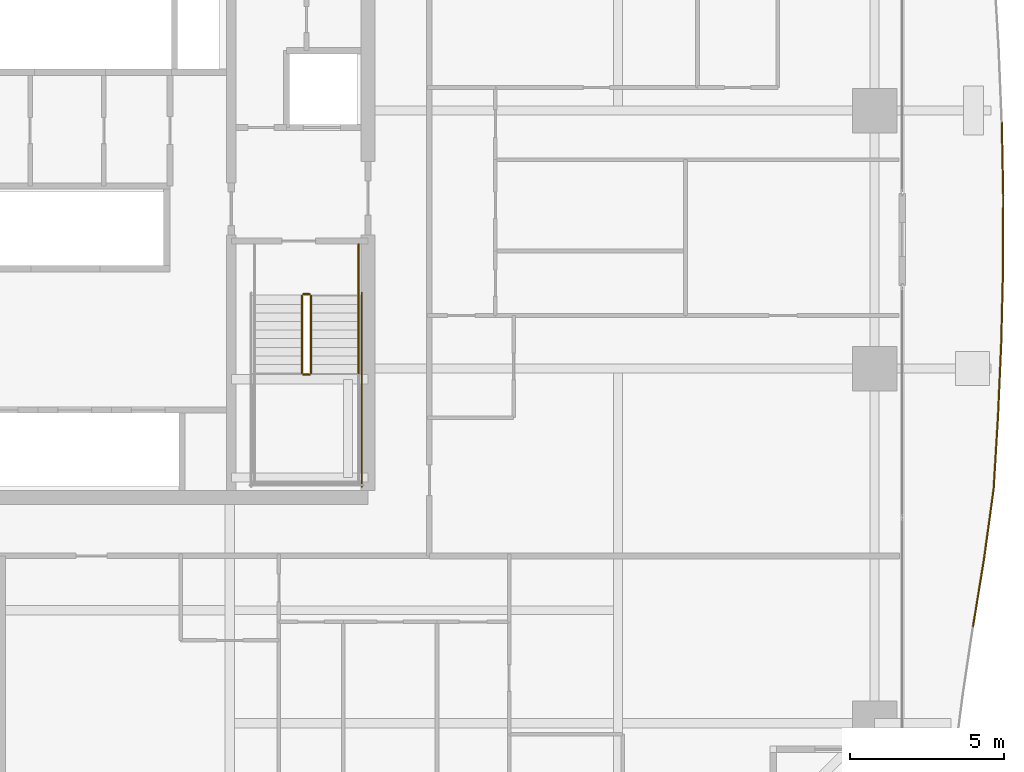
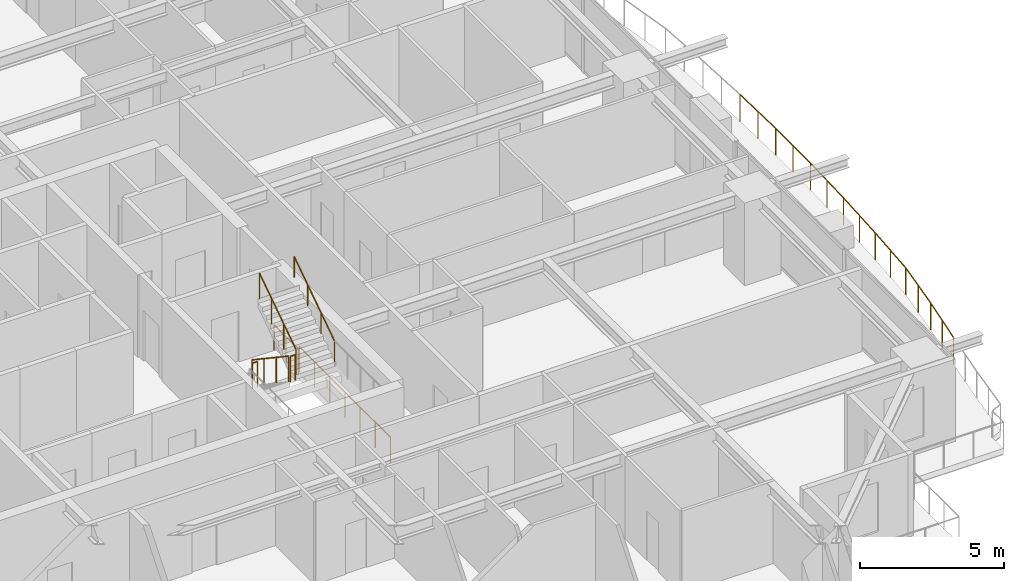
# One storey, part 37 of 39: 8 railings.
"""IFC4 building model written with IfcOpenShell, lengths in metres."""

from ifc_helpers import new_model, si_unit, direction, frame, origin, origin_2d, place, context, subcontext, project, spatial, circle, extrude, material, type_object, element, save


model = new_model("IFC4")

# Units and contexts
model_context = context("Model", 3, precision=1e-05, world=origin(), true_north=direction((0.0, 1.0)))
body_context = subcontext(model_context, "Body", "Model", "MODEL_VIEW")
ifc_project = project(units=[si_unit("LENGTHUNIT", "METRE"), si_unit("AREAUNIT", "SQUARE_METRE"), si_unit("VOLUMEUNIT", "CUBIC_METRE"), si_unit("PLANEANGLEUNIT", "RADIAN"), si_unit("MASSUNIT", "GRAM", prefix="KILO")], contexts=[model_context])

# Site, building, storey
site_placement = place(None, origin())
site = spatial("IfcSite", under=ifc_project, at=site_placement, CompositionType="ELEMENT")
building_placement = place(site_placement, origin())
building = spatial("IfcBuilding", under=site, at=building_placement, Name="Serunith Strait Residences", CompositionType="ELEMENT")
storey_placement = place(building_placement, frame((0.0, 0.0, 79.199951171875)))
storey = spatial("IfcBuildingStorey", under=building, at=storey_placement, Name="L19", CompositionType="ELEMENT", Elevation=79.199951171875)

# Railings
ifc_material_1 = material(Name="Stainless Steel & Laminated Glass Balustrade", Category="steel")
railing_type_1 = type_object("IfcRailingType", Name="RLG-BALC-1150", PredefinedType="BALUSTRADE", material=ifc_material_1)
railing_1_placement = place(storey_placement, frame((62.045166015625, 29.03662109375, -0.050048828125)))
element("IfcRailing", 1, at=railing_1_placement, inside=storey, type_object=railing_type_1, Name="L19 Swirling Balcony Perimeter Balustrade 4", PredefinedType="BALUSTRADE", context=body_context, shape_type="SweptSolid", body=[
    extrude(circle(Radius=0.02392578125, at=origin_2d()), frame((0.0, -0.001953125, 1.1259765625), z_axis=(0.019811170532, -0.999803739502, 0.0), x_axis=(0.999803739502, 0.019811170532, 0.0)), (0.0, 0.0, 1.0), 2.399169921875),
    extrude(circle(Radius=0.02392578125, at=origin_2d()), frame((0.047607421875, -2.404541015625, 1.1259765625), z_axis=(-0.002635304046, -0.99999652758, 0.0), x_axis=(0.99999652758, -0.002635304046, 0.0)), (0.0, 0.0, 1.0), 2.40478515625),
    extrude(circle(Radius=0.02392578125, at=origin_2d()), frame((0.041259765625, -4.813232421875, 1.1259765625), z_axis=(-0.024390424138, -0.999702509355, 0.0), x_axis=(0.999702509355, -0.024390424138, 0.0)), (0.0, 0.0, 1.0), 2.3984375),
    extrude(circle(Radius=0.02392578125, at=origin_2d()), frame((-0.017333984375, -7.21484375, 1.1259765625), z_axis=(-0.043912518245, -0.999035380125, 0.0), x_axis=(0.999035380125, -0.043912518245, 0.0)), (0.0, 0.0, 1.0), 2.381103515625),
    extrude(circle(Radius=0.02392578125, at=origin_2d()), frame((-0.1220703125, -9.59765625, 1.1259765625), z_axis=(-0.060098426623, -0.998192455951, 0.0), x_axis=(0.998192455951, -0.060098426623, 0.0)), (0.0, 0.0, 1.0), 2.356201171875),
    extrude(circle(Radius=0.02392578125, at=origin_2d()), frame((-0.26416015625, -11.95361328125, 1.1259765625), z_axis=(-0.135711665128, -0.990748375698, 0.0), x_axis=(0.990748375698, -0.135711665128, 0.0)), (0.0, 0.0, 1.0), 2.289794921875),
    extrude(circle(Radius=0.02392578125, at=origin_2d()), frame((-0.575439453125, -14.22607421875, 1.1259765625), z_axis=(-0.160598715837, -0.987019783222, 0.0), x_axis=(0.987019783222, -0.160598715837, 0.0)), (0.0, 0.0, 1.0), 2.22607421875),
    extrude(circle(Radius=0.02099609375, at=origin_2d()), origin(), (0.0, 0.0, 1.0), 1.099853515625),
    extrude(circle(Radius=0.02099609375, at=origin_2d()), frame((0.02392578125, -1.201171875, 0.0)), (0.0, 0.0, 1.0), 1.099853515625),
    extrude(circle(Radius=0.02099609375, at=origin_2d()), frame((0.047607421875, -2.402587890625, 0.0)), (0.0, 0.0, 1.0), 1.099853515625),
    extrude(circle(Radius=0.02099609375, at=origin_2d()), frame((0.04443359375, -3.60693359375, 0.0)), (0.0, 0.0, 1.0), 1.099853515625),
    extrude(circle(Radius=0.02099609375, at=origin_2d()), frame((0.041259765625, -4.811279296875, 0.0)), (0.0, 0.0, 1.0), 1.099853515625),
    extrude(circle(Radius=0.02099609375, at=origin_2d()), frame((0.011962890625, -6.01220703125, 0.0)), (0.0, 0.0, 1.0), 1.099853515625),
    extrude(circle(Radius=0.02099609375, at=origin_2d()), frame((-0.017333984375, -7.212890625, 0.0)), (0.0, 0.0, 1.0), 1.099853515625),
    extrude(circle(Radius=0.02099609375, at=origin_2d()), frame((-0.06982421875, -8.404296875, 0.0)), (0.0, 0.0, 1.0), 1.099853515625),
    extrude(circle(Radius=0.02099609375, at=origin_2d()), frame((-0.1220703125, -9.595703125, 0.0)), (0.0, 0.0, 1.0), 1.099853515625),
    extrude(circle(Radius=0.02099609375, at=origin_2d()), frame((-0.19287109375, -10.773681640625, 0.0)), (0.0, 0.0, 1.0), 1.099853515625),
    extrude(circle(Radius=0.02099609375, at=origin_2d()), frame((-0.263916015625, -11.95166015625, 0.0)), (0.0, 0.0, 1.0), 1.099853515625),
    extrude(circle(Radius=0.02099609375, at=origin_2d()), frame((-0.41943359375, -13.087890625, 0.0)), (0.0, 0.0, 1.0), 1.099853515625),
    extrude(circle(Radius=0.02099609375, at=origin_2d()), frame((-0.5751953125, -14.22412109375, 0.0)), (0.0, 0.0, 1.0), 1.099853515625),
    extrude(circle(Radius=0.02099609375, at=origin_2d()), frame((-0.75439453125, -15.32470703125, 0.0)), (0.0, 0.0, 1.0), 1.099853515625),
    extrude(circle(Radius=0.02099609375, at=origin_2d()), frame((-0.933349609375, -16.42529296875, 0.0)), (0.0, 0.0, 1.0), 1.099853515625),
])
ifc_material_2 = material(Name="Brushed stainless steel 316L", Category="steel")
railing_type_2 = type_object("IfcRailingType", Name="RLG-STAIR-GUARD", PredefinedType="BALUSTRADE", material=ifc_material_2)
railing_2_placement = place(storey_placement, frame((39.25, 23.3701171875, 0.1875)))
element("IfcRailing", 2, at=railing_2_placement, inside=storey, type_object=railing_type_2, Name="L19 ST-2 stair guard 1", PredefinedType="BALUSTRADE", context=body_context, shape_type="SweptSolid", body=[
    extrude(circle(Radius=0.02392578125, at=origin_2d()), frame((0.0, -0.001708984375, 1.0771484375), z_axis=(0.0, -0.830909170722, 0.55640807867), x_axis=(1.0, 0.0, 0.0)), (0.0, 0.0, 1.0), 3.02880859375),
    extrude(circle(Radius=0.02099609375, at=origin_2d()), origin(), (0.0, 0.0, 1.0), 1.050048828125),
    extrude(circle(Radius=0.02099609375, at=origin_2d()), frame((0.0, -0.840087890625, 0.5625)), (0.0, 0.0, 1.0), 1.050048828125),
    extrude(circle(Radius=0.02099609375, at=origin_2d()), frame((0.0, -1.679931640625, 1.125)), (0.0, 0.0, 1.0), 1.050048828125),
    extrude(circle(Radius=0.02099609375, at=origin_2d()), frame((0.0, -2.52001953125, 1.6875)), (0.0, 0.0, 1.0), 1.050048828125),
])
railing_3_placement = place(storey_placement, frame((39.300048828125, 20.800048828125, 1.875)))
element("IfcRailing", 3, at=railing_3_placement, inside=storey, type_object=railing_type_2, Name="L19 ST-2 stair guard 2", PredefinedType="BALUSTRADE", context=body_context, shape_type="SweptSolid", body=[
    extrude(circle(Radius=0.02392578125, at=origin_2d()), frame((0.001953125, 0.0, 1.076171875), z_axis=(1.0, 0.0, 0.0), x_axis=(0.0, 1.0, 0.0)), (0.0, 0.0, 1.0), 0.196044921875),
    extrude(circle(Radius=0.02099609375, at=origin_2d()), origin(), (0.0, 0.0, 1.0), 1.050048828125),
    extrude(circle(Radius=0.02099609375, at=origin_2d()), frame((0.199951171875, 0.0, 0.0)), (0.0, 0.0, 1.0), 1.050048828125),
])
railing_4_placement = place(storey_placement, frame((39.550048828125, 20.85009765625, 2.0625)))
element("IfcRailing", 4, at=railing_4_placement, inside=storey, type_object=railing_type_2, Name="L19 ST-2 stair guard 6", PredefinedType="BALUSTRADE", context=body_context, shape_type="SweptSolid", body=[
    extrude(circle(Radius=0.02392578125, at=origin_2d()), frame((0.0, 0.001708984375, 1.0771484375), z_axis=(0.0, 0.830909170722, 0.55640807867), x_axis=(-1.0, 0.0, 0.0)), (0.0, 0.0, 1.0), 3.02880859375),
    extrude(circle(Radius=0.02099609375, at=origin_2d()), origin(), (0.0, 0.0, 1.0), 1.050048828125),
    extrude(circle(Radius=0.02099609375, at=origin_2d()), frame((0.0, 0.840087890625, 0.5625)), (0.0, 0.0, 1.0), 1.050048828125),
    extrude(circle(Radius=0.02099609375, at=origin_2d()), frame((0.0, 1.679931640625, 1.125)), (0.0, 0.0, 1.0), 1.050048828125),
    extrude(circle(Radius=0.02099609375, at=origin_2d()), frame((0.0, 2.52001953125, 1.6875)), (0.0, 0.0, 1.0), 1.050048828125),
])
railing_5_placement = place(storey_placement, frame((39.300048828125, 23.419921875, 0.0)))
element("IfcRailing", 5, at=railing_5_placement, inside=storey, type_object=railing_type_2, Name="L19 ST-2 stair guard 7", PredefinedType="BALUSTRADE", context=body_context, shape_type="SweptSolid", body=[
    extrude(circle(Radius=0.02392578125, at=origin_2d()), frame((0.001953125, 0.0, 1.076171875), z_axis=(1.0, 0.0, 0.0), x_axis=(0.0, 1.0, 0.0)), (0.0, 0.0, 1.0), 0.196044921875),
    extrude(circle(Radius=0.02099609375, at=origin_2d()), origin(), (0.0, 0.0, 1.0), 1.050048828125),
    extrude(circle(Radius=0.02099609375, at=origin_2d()), frame((0.199951171875, 0.0, 0.0)), (0.0, 0.0, 1.0), 1.050048828125),
])
railing_6_placement = place(storey_placement, frame((41.10009765625, 25.050048828125, 0.0)))
element("IfcRailing", 6, at=railing_6_placement, inside=storey, type_object=railing_type_2, Name="L19 ST-2 stair guard 9", PredefinedType="BALUSTRADE", context=body_context, shape_type="SweptSolid", body=[
    extrude(circle(Radius=0.02392578125, at=origin_2d()), frame((0.0, -0.001953125, 1.076171875), z_axis=(0.0, -1.0, 0.0), x_axis=(1.0, 0.0, 0.0)), (0.0, 0.0, 1.0), 1.676025390625),
    extrude(circle(Radius=0.02099609375, at=origin_2d()), origin(), (0.0, 0.0, 1.0), 1.050048828125),
    extrude(circle(Radius=0.02099609375, at=origin_2d()), frame((0.0, -0.83984375, 0.0)), (0.0, 0.0, 1.0), 1.050048828125),
    extrude(circle(Radius=0.02099609375, at=origin_2d()), frame((0.0, -1.679931640625, 0.0)), (0.0, 0.0, 1.0), 1.050048828125),
])
railing_7_placement = place(storey_placement, frame((41.199951171875, 23.469970703125, 0.0)))
element("IfcRailing", 7, at=railing_7_placement, inside=storey, type_object=railing_type_2, Name="L19 ST-2 stair guard 11", PredefinedType="BALUSTRADE", context=body_context, shape_type="SweptSolid", body=[
    extrude(circle(Radius=0.02392578125, at=origin_2d()), frame((0.0, -0.001953125, 1.076171875), z_axis=(0.0, -1.0, 0.0), x_axis=(1.0, 0.0, 0.0)), (0.0, 0.0, 1.0), 6.316162109375),
    extrude(circle(Radius=0.02099609375, at=origin_2d()), origin(), (0.0, 0.0, 1.0), 1.050048828125),
    extrude(circle(Radius=0.02099609375, at=origin_2d()), frame((0.0, -1.05322265625, 0.0)), (0.0, 0.0, 1.0), 1.050048828125),
    extrude(circle(Radius=0.02099609375, at=origin_2d()), frame((0.0, -2.106689453125, 0.0)), (0.0, 0.0, 1.0), 1.050048828125),
    extrude(circle(Radius=0.02099609375, at=origin_2d()), frame((0.0, -3.16015625, 0.0)), (0.0, 0.0, 1.0), 1.050048828125),
    extrude(circle(Radius=0.02099609375, at=origin_2d()), frame((0.0, -4.21337890625, 0.0)), (0.0, 0.0, 1.0), 1.050048828125),
    extrude(circle(Radius=0.02099609375, at=origin_2d()), frame((0.0, -5.2666015625, 0.0)), (0.0, 0.0, 1.0), 1.050048828125),
    extrude(circle(Radius=0.02099609375, at=origin_2d()), frame((0.0, -6.320068359375, 0.0)), (0.0, 0.0, 1.0), 1.050048828125),
])
railing_type_3 = type_object("IfcRailingType", Name="RLG-STAIR-HR", PredefinedType="HANDRAIL", material=ifc_material_2)
railing_8_placement = place(storey_placement, frame((41.10009765625, 20.85009765625, 2.0625)))
element("IfcRailing", 8, at=railing_8_placement, inside=storey, type_object=railing_type_3, Name="L19 ST-2 stair handrail 2", PredefinedType="HANDRAIL", context=body_context, shape_type="SweptSolid", body=[
    extrude(circle(Radius=0.02392578125, at=origin_2d()), frame((0.0, 0.001708984375, 0.876953125), z_axis=(0.0, 0.830185712471, 0.557486935101), x_axis=(-1.0, 0.0, 0.0)), (0.0, 0.0, 1.0), 3.368408203125),
    extrude(circle(Radius=0.02099609375, at=origin_2d()), origin(), (0.0, 0.0, 1.0), 0.849853515625),
    extrude(circle(Radius=0.02099609375, at=origin_2d()), frame((0.0, 0.933349609375, 0.626708984375)), (0.0, 0.0, 1.0), 0.849853515625),
    extrude(circle(Radius=0.02099609375, at=origin_2d()), frame((0.0, 1.866455078125, 1.25341796875)), (0.0, 0.0, 1.0), 0.849853515625),
    extrude(circle(Radius=0.02099609375, at=origin_2d()), frame((0.0, 2.7998046875, 1.880126953125)), (0.0, 0.0, 1.0), 0.849853515625),
])

save(model, "model.ifc")
